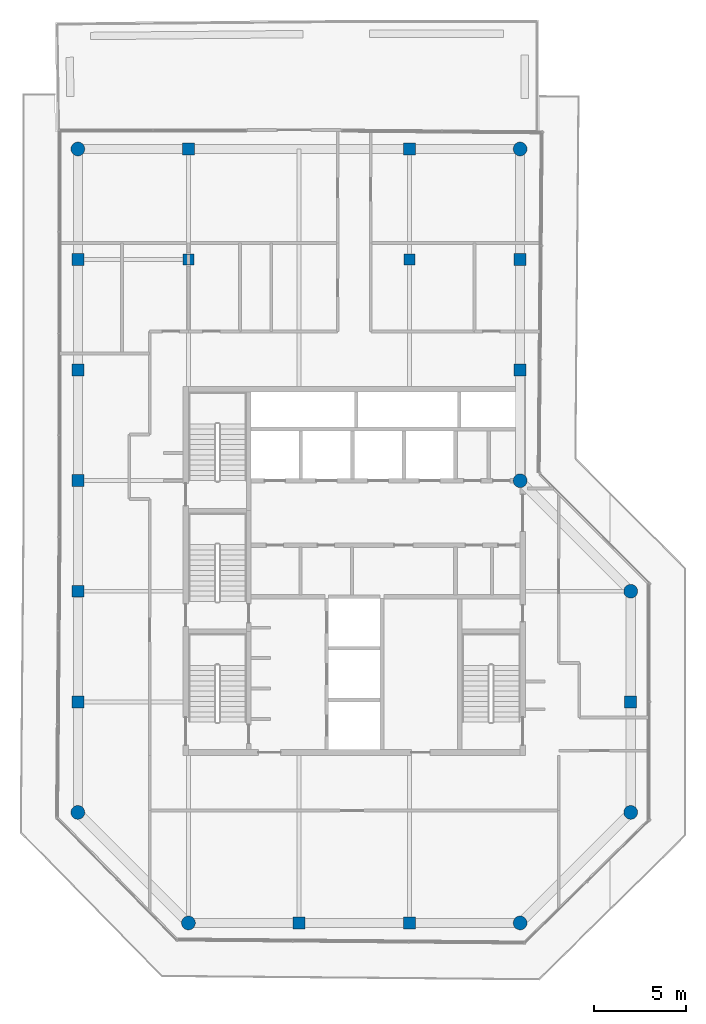
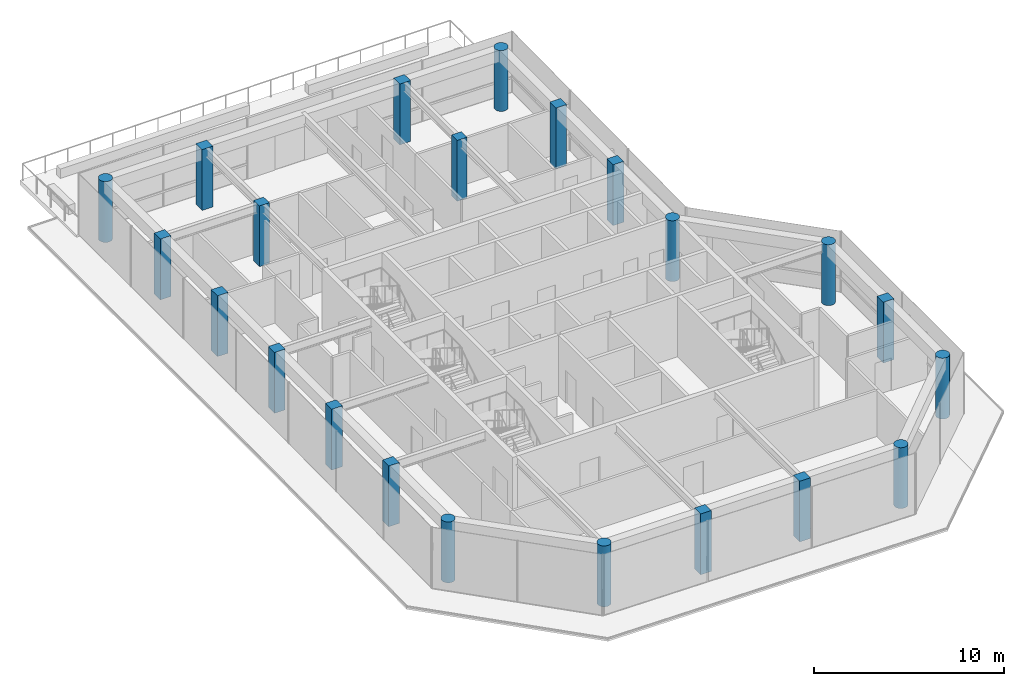
# One storey, part 1 of 17: 22 columns.
"""IFC4 building model written with IfcOpenShell, lengths in metres."""

import ifcopenshell
import ifcopenshell.guid

model = None  # the IFC model being written
_history = None  # IfcOwnerHistory: only IFC2X3 demands one
_inside = {}  # id of a spatial element -> (the spatial element, [elements in it])
_under = {}  # id of a project, library or spatial element -> (it, [spatial elements below it])
_declared = {}  # id of a project -> (the project, [libraries it declares])
_typed = {}  # id of a type object -> (the type object, [elements of that type])
_made_of = {}  # id of a material, layer set ... -> (it, [elements and type objects made of it])


def new_model(schema):
    """Start an empty IFC model of exactly this schema.

    Asked for "IFC4X3", IfcOpenShell would pick the latest addendum, in which some entities
    have other attributes; the version numbers below select the first issue.
    IFC2X3 requires an IfcOwnerHistory on every rooted entity: one is made here for all.
    """
    global model, _history
    if schema == "IFC4X3":
        model = ifcopenshell.file(schema_version=(4, 3, 0, 0))
    else:
        model = ifcopenshell.file(schema=schema)
    _inside.clear()
    _under.clear()
    _declared.clear()
    _typed.clear()
    _made_of.clear()
    _history = None
    if model.schema == "IFC2X3":
        org = make("IfcOrganization", Name="unknown")
        user = make(
            "IfcPersonAndOrganization",
            ThePerson=make("IfcPerson", FamilyName="unknown"),
            TheOrganization=org,
        )
        app = make(
            "IfcApplication",
            ApplicationDeveloper=org,
            Version="unknown",
            ApplicationFullName="unknown",
            ApplicationIdentifier="unknown",
        )
        _history = make(
            "IfcOwnerHistory",
            OwningUser=user,
            OwningApplication=app,
            ChangeAction="ADDED",
            CreationDate=0,
        )
    return model


def make(cls, **values):
    """One entity of the class cls with the attributes given. An attribute that is None is left unset."""
    return model.create_entity(
        cls, **{name: value for name, value in values.items() if value is not None}
    )


def rooted(cls, **values):
    """An entity with a GlobalId (a new one), such as an element, a storey or a relation."""
    return make(cls, GlobalId=ifcopenshell.guid.new(), OwnerHistory=_history, **values)


def si_unit(unit_type, name, prefix=None):
    """IfcSIUnit, for example si_unit("LENGTHUNIT", "METRE", prefix="MILLI")."""
    return make("IfcSIUnit", UnitType=unit_type, Prefix=prefix, Name=name)


def assignment(units):
    """IfcUnitAssignment: the units of a project."""
    return None if units is None else make("IfcUnitAssignment", Units=units)


def point(xyz):
    """IfcCartesianPoint."""
    return None if xyz is None else make("IfcCartesianPoint", Coordinates=xyz)


def direction(xyz):
    """IfcDirection."""
    return None if xyz is None else make("IfcDirection", DirectionRatios=xyz)


def frame(location, z_axis=None, x_axis=None):
    """IfcAxis2Placement3D, a coordinate frame: its origin and axes. An axis left out is left unset."""
    return make(
        "IfcAxis2Placement3D",
        Location=point(location),
        Axis=direction(z_axis),
        RefDirection=direction(x_axis),
    )


def frame_2d(location, x_axis=None):
    """IfcAxis2Placement2D, a coordinate frame in the plane: its origin and x axis."""
    return make(
        "IfcAxis2Placement2D", Location=point(location), RefDirection=direction(x_axis)
    )


def origin():
    """The frame at (0, 0, 0) with its axes left unset."""
    return frame((0.0, 0.0, 0.0))


def origin_2d():
    """The frame at (0, 0) in the plane with its x axis left unset."""
    return frame_2d((0.0, 0.0))


def place(relative_to, where):
    """IfcLocalPlacement: puts the frame where relative to a parent placement (None: the world)."""
    return make(
        "IfcLocalPlacement", PlacementRelTo=relative_to, RelativePlacement=where
    )


def context(
    kind, dimensions, precision=None, world=None, true_north=None, identifier=None
):
    """IfcGeometricRepresentationContext, for example the 3D "Model" context."""
    return make(
        "IfcGeometricRepresentationContext",
        ContextIdentifier=identifier,
        ContextType=kind,
        CoordinateSpaceDimension=dimensions,
        Precision=precision,
        WorldCoordinateSystem=world,
        TrueNorth=true_north,
    )


def subcontext(parent, identifier, kind, view, scale=None):
    """IfcGeometricRepresentationSubContext, for example "Body" below "Model"."""
    return make(
        "IfcGeometricRepresentationSubContext",
        ContextIdentifier=identifier,
        ContextType=kind,
        ParentContext=parent,
        TargetScale=scale,
        TargetView=view,
    )


def project(units=None, contexts=None):
    """IfcProject with its units and contexts."""
    return rooted(
        "IfcProject",
        Name="project",
        RepresentationContexts=contexts,
        UnitsInContext=assignment(units),
    )


def spatial(cls, under=None, at=None, **own):
    """A site, building, storey or space (cls), placed at a placement, below another one or the project."""
    s = rooted(cls, ObjectPlacement=at, **own)
    if under is not None:
        _under.setdefault(under.id(), (under, []))[1].append(s)
    return s


def profile(cls, at=None, kind="AREA", **sizes):
    """A parametric profile (cls). Its sizes go by their IFC names, for example OverallWidth=200.0."""
    return make(cls, ProfileType=kind, Position=at, **sizes)


def rectangle(**sizes):
    """IfcRectangleProfileDef."""
    return profile("IfcRectangleProfileDef", **sizes)


def circle(**sizes):
    """IfcCircleProfileDef."""
    return profile("IfcCircleProfileDef", **sizes)


def extrude(swept, where, along, depth):
    """IfcExtrudedAreaSolid: the profile swept, set in the frame where, extruded along a direction by depth."""
    return make(
        "IfcExtrudedAreaSolid",
        SweptArea=swept,
        Position=where,
        ExtrudedDirection=direction(along),
        Depth=depth,
    )


def shape(context_of_items, identifier, shape_type, items):
    """IfcShapeRepresentation: the items that make up one representation, for example the "Body"."""
    return make(
        "IfcShapeRepresentation",
        ContextOfItems=context_of_items,
        RepresentationIdentifier=identifier,
        RepresentationType=shape_type,
        Items=items,
    )


def material(Name=None, Category=None):
    """IfcMaterial."""
    return make("IfcMaterial", Name=Name, Category=Category)


def material_profile(
    of_material, cross_section, Name=None, Category=None, Priority=None
):
    """IfcMaterialProfile: a cross section and its material."""
    return make(
        "IfcMaterialProfile",
        Name=Name,
        Material=of_material,
        Profile=cross_section,
        Priority=Priority,
        Category=Category,
    )


def profile_set(profiles, Name=None, composite=None):
    """IfcMaterialProfileSet."""
    return make(
        "IfcMaterialProfileSet",
        Name=Name,
        MaterialProfiles=profiles,
        CompositeProfile=composite,
    )


def made_of(thing, what):
    """Note that an element or type object is made of a material, layer set ...; save() writes the relation."""
    if what is not None:
        _made_of.setdefault(what.id(), (what, []))[1].append(thing)
    return thing


def type_object(cls, material=None, **own):
    """A type object (cls), such as IfcWallType, which elements share."""
    return made_of(rooted(cls, **own), material)


def element(
    cls,
    number,
    at=None,
    inside=None,
    cuts=None,
    type_object=None,
    material=None,
    context=None,
    identifier="Body",
    shape_type=None,
    held_by="IfcProductDefinitionShape",
    body=None,
    shapes=None,
    **own,
):
    """One element of the class cls, such as IfcWall. Its Tag is "e" and its number.

    at: its placement. inside: the storey or other place that contains it. cuts: it is an
    opening in that element (IfcRelVoidsElement). A single representation is given by context,
    identifier, shape_type and body (its items); several are given by shapes. held_by: the class
    of the entity that holds the representations. save() writes the other relations.
    """
    e = rooted(cls, Tag="e%d" % number, ObjectPlacement=at, **own)
    if body is not None:
        shapes = [shape(context, identifier, shape_type, body)]
    if shapes is not None:
        e.Representation = make(held_by, Representations=shapes)
    if inside is not None:
        _inside.setdefault(inside.id(), (inside, []))[1].append(e)
    if cuts is not None:
        rooted(
            "IfcRelVoidsElement", RelatingBuildingElement=cuts, RelatedOpeningElement=e
        )
    if type_object is not None:
        _typed.setdefault(type_object.id(), (type_object, []))[1].append(e)
    return made_of(e, material)


def aggregate(whole, parts):
    """IfcRelAggregates: a whole, such as a stair, and the parts it consists of."""
    return rooted("IfcRelAggregates", RelatingObject=whole, RelatedObjects=parts)


def save(model, path):
    """Write the relations noted so far, then the file.

    IfcRelAggregates (storeys below a building ...), IfcRelContainedInSpatialStructure (elements
    in a storey), IfcRelDefinesByType, IfcRelAssociatesMaterial and IfcRelDeclares: one each for
    every whole, place, type object, material and project.
    """
    for whole, parts in _under.values():
        aggregate(whole, parts)
    for where, things in _inside.values():
        rooted(
            "IfcRelContainedInSpatialStructure",
            RelatedElements=things,
            RelatingStructure=where,
        )
    for kind, things in _typed.values():
        rooted("IfcRelDefinesByType", RelatedObjects=things, RelatingType=kind)
    for what, things in _made_of.values():
        rooted("IfcRelAssociatesMaterial", RelatedObjects=things, RelatingMaterial=what)
    for by, libraries in _declared.values():
        rooted("IfcRelDeclares", RelatingContext=by, RelatedDefinitions=libraries)
    model.write(path)


model = new_model("IFC4")

# Units and contexts
model_context = context("Model", 3, precision=1e-05, world=origin(), true_north=direction((0.0, 1.0)))
body_context = subcontext(model_context, "Body", "Model", "MODEL_VIEW")
ifc_project = project(units=[si_unit("LENGTHUNIT", "METRE"), si_unit("AREAUNIT", "SQUARE_METRE"), si_unit("VOLUMEUNIT", "CUBIC_METRE"), si_unit("PLANEANGLEUNIT", "RADIAN"), si_unit("MASSUNIT", "GRAM", prefix="KILO")], contexts=[model_context])

# Site, building, storey
site_placement = place(None, origin())
site = spatial("IfcSite", under=ifc_project, at=site_placement, CompositionType="ELEMENT")
building_placement = place(site_placement, origin())
building = spatial("IfcBuilding", under=site, at=building_placement, Name="Welwitschia Terrace Campus", CompositionType="ELEMENT")
storey_placement = place(building_placement, frame((0.0, 0.0, 335.60009765625)))
storey = spatial("IfcBuildingStorey", under=building, at=storey_placement, Name="L75", CompositionType="ELEMENT", Elevation=335.60009765625)

# Columns
ifc_material_1 = material(Name="Concrete C40/50", Category="concrete")
ifc_material_profile_1 = material_profile(ifc_material_1, circle(Radius=0.375, at=origin_2d()))
ifc_profile_set_1 = profile_set([ifc_material_profile_1], Name="Concrete C40/50")
column_type_1 = type_object("IfcColumnType", Name="Corner column 750 dia", PredefinedType="COLUMN", material=ifc_profile_set_1)
for number, where, z_axis, x_axis, name in (
    (1, (0.0, 2.0, 0.0), (0.0, 0.0, 1.0), (1.0, 0.0, 0.0), "Column C44"),
    (2, (0.0, 38.0, 0.0), (0.0, 0.0, 1.0), (1.0, 0.0, 0.0), "Column C44"),
    (3, (6.0, -4.0, 0.0), (0.0, 0.0, 1.0), (1.0, 0.0, 0.0), "Column C44"),
    (4, (24.0, -4.0, 0.0), (0.0, 0.0, 1.0), (1.0, 0.0, 0.0), "Column C44"),
    (5, (24.0, 20.0, 0.0), (0.0, 0.0, 1.0), (1.0, 0.0, 0.0), "Column C44"),
    (6, (24.0, 38.0, 0.0), (0.0, 0.0, 1.0), (1.0, 0.0, 0.0), "Column C44"),
    (7, (30.0, 2.0, 0.0), (0.0, 0.0, 1.0), (1.0, 0.0, 0.0), "Column C44"),
    (8, (30.0, 14.0, 0.0), (0.0, 0.0, 1.0), (1.0, 0.0, 0.0), "Column C44"),
):
    element("IfcColumn", number, at=place(storey_placement, frame(where, z_axis=z_axis, x_axis=x_axis)), inside=storey, type_object=column_type_1, Name=name, PredefinedType="COLUMN", context=body_context, shape_type="SweptSolid", body=[
        extrude(circle(Radius=0.375, at=origin_2d()), origin(), (0.0, 0.0, 1.0), 3.89990234375),
    ])
ifc_material_2 = material(Name="Concrete C40/50", Category="concrete")
ifc_material_profile_2 = material_profile(ifc_material_2, rectangle(XDim=0.60009765625, YDim=0.60009765625, at=origin_2d()))
ifc_profile_set_2 = profile_set([ifc_material_profile_2], Name="Concrete C40/50")
column_type_2 = type_object("IfcColumnType", Name="Interior column 600x600", PredefinedType="COLUMN", material=ifc_profile_set_2)
for number, where, z_axis, x_axis, name in (
    (9, (6.0, 32.0, 0.0), (0.0, 0.0, 1.0), (1.0, 0.0, 0.0), "Column C46"),
    (10, (18.0, 32.0, 0.0), (0.0, 0.0, 1.0), (1.0, 0.0, 0.0), "Column C46"),
):
    element("IfcColumn", number, at=place(storey_placement, frame(where, z_axis=z_axis, x_axis=x_axis)), inside=storey, type_object=column_type_2, Name=name, PredefinedType="COLUMN", context=body_context, shape_type="SweptSolid", body=[
        extrude(rectangle(XDim=0.60009765625, YDim=0.60009765625, at=origin_2d()), origin(), (0.0, 0.0, 1.0), 3.89990234375),
    ])
ifc_material_3 = material(Name="Concrete C40/50", Category="concrete")
ifc_material_profile_3 = material_profile(ifc_material_3, rectangle(XDim=0.64990234375, YDim=0.64990234375, at=origin_2d()))
ifc_profile_set_3 = profile_set([ifc_material_profile_3], Name="Concrete C40/50")
column_type_3 = type_object("IfcColumnType", Name="Ring column 650x650", PredefinedType="COLUMN", material=ifc_profile_set_3)
for number, where, z_axis, x_axis, name in (
    (11, (0.0, 8.0, 0.0), (0.0, 0.0, 1.0), (1.0, 0.0, 0.0), "Column C45"),
    (12, (0.0, 14.0, 0.0), (0.0, 0.0, 1.0), (1.0, 0.0, 0.0), "Column C45"),
    (13, (0.0, 20.0, 0.0), (0.0, 0.0, 1.0), (1.0, 0.0, 0.0), "Column C45"),
    (14, (0.0, 26.0, 0.0), (0.0, 0.0, 1.0), (1.0, 0.0, 0.0), "Column C45"),
    (15, (0.0, 32.0, 0.0), (0.0, 0.0, 1.0), (1.0, 0.0, 0.0), "Column C45"),
    (16, (6.0, 38.0, 0.0), (0.0, 0.0, 1.0), (1.0, 0.0, 0.0), "Column C45"),
    (17, (12.0, -4.0, 0.0), (0.0, 0.0, 1.0), (1.0, 0.0, 0.0), "Column C45"),
    (18, (18.0, -4.0, 0.0), (0.0, 0.0, 1.0), (1.0, 0.0, 0.0), "Column C45"),
    (19, (18.0, 38.0, 0.0), (0.0, 0.0, 1.0), (1.0, 0.0, 0.0), "Column C45"),
    (20, (24.0, 26.0, 0.0), (0.0, 0.0, 1.0), (1.0, 0.0, 0.0), "Column C45"),
    (21, (24.0, 32.0, 0.0), (0.0, 0.0, 1.0), (1.0, 0.0, 0.0), "Column C45"),
    (22, (30.0, 8.0, 0.0), (0.0, 0.0, 1.0), (1.0, 0.0, 0.0), "Column C45"),
):
    element("IfcColumn", number, at=place(storey_placement, frame(where, z_axis=z_axis, x_axis=x_axis)), inside=storey, type_object=column_type_3, Name=name, PredefinedType="COLUMN", context=body_context, shape_type="SweptSolid", body=[
        extrude(rectangle(XDim=0.64990234375, YDim=0.64990234375, at=origin_2d()), origin(), (0.0, 0.0, 1.0), 3.89990234375),
    ])

save(model, "model.ifc")
